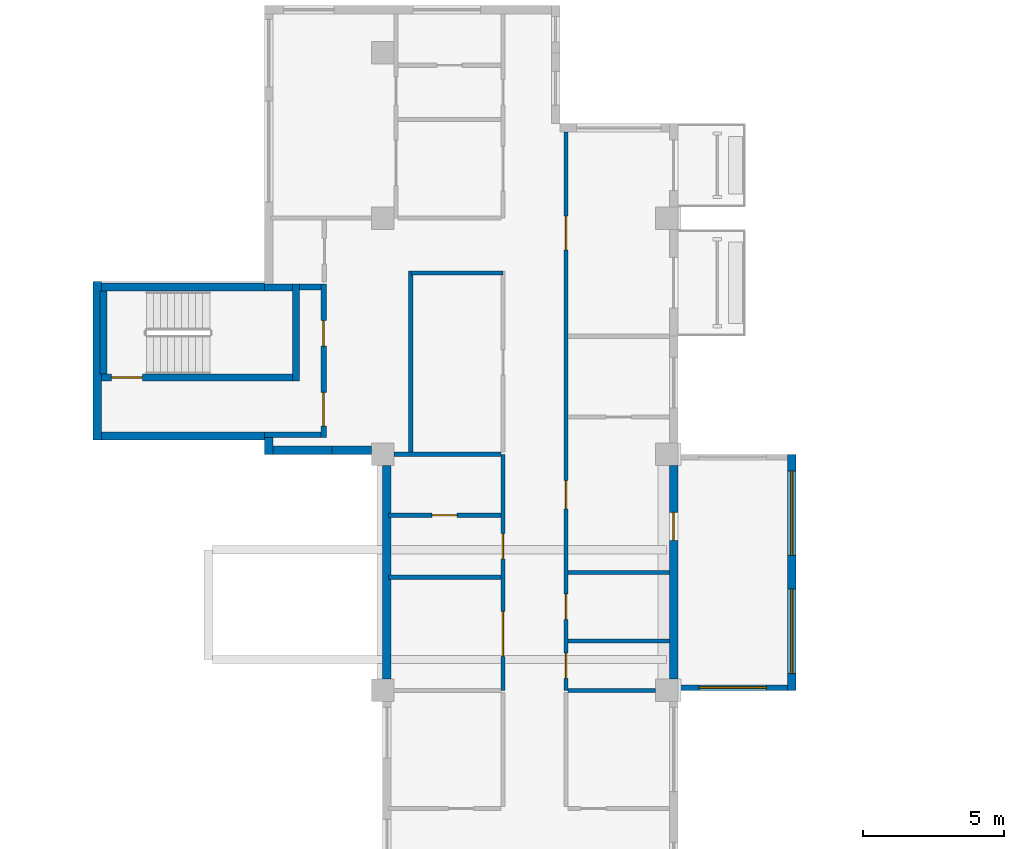
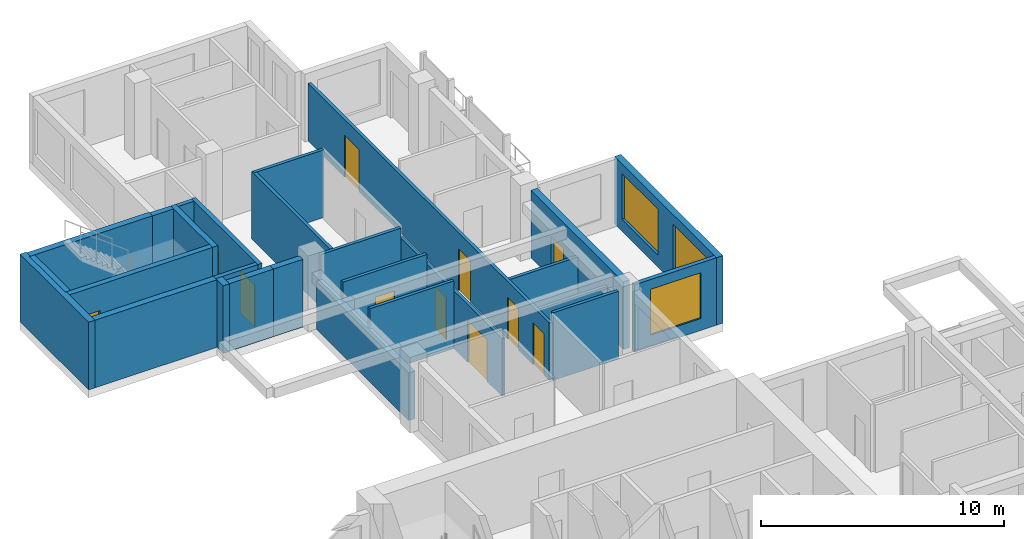
# One storey, part 6 of 12: 27 walls, 11 doors, 3 windows, 14 openings.
"""IFC4 building model written with IfcOpenShell, lengths in metres."""

from ifc_helpers import new_model, si_unit, direction, frame, frame_2d, origin, place, context, subcontext, project, spatial, rectangle, extrude, source, transform, mapped, material, layer, layer_set, type_object, element, fill, save


model = new_model("IFC4")

# Units and contexts
model_context = context("Model", 3, precision=1e-05, world=origin(), true_north=direction((0.0, 1.0)))
body_context = subcontext(model_context, "Body", "Model", "MODEL_VIEW")
ifc_project = project(units=[si_unit("LENGTHUNIT", "METRE"), si_unit("AREAUNIT", "SQUARE_METRE"), si_unit("VOLUMEUNIT", "CUBIC_METRE"), si_unit("PLANEANGLEUNIT", "RADIAN"), si_unit("MASSUNIT", "GRAM", prefix="KILO")], contexts=[model_context])

# Site, building, storey
site_placement = place(None, origin())
site = spatial("IfcSite", under=ifc_project, at=site_placement, CompositionType="ELEMENT")
building_placement = place(site_placement, origin())
building = spatial("IfcBuilding", under=site, at=building_placement, Name="Aurelian Terraces", CompositionType="ELEMENT")
storey_placement = place(building_placement, frame((0.0, 0.0, 238.6)))
storey = spatial("IfcBuildingStorey", under=building, at=storey_placement, Name="L54", CompositionType="ELEMENT", Elevation=238.6)

# Walls
ifc_material_1 = material(Name="Concrete fc' 40 MPa", Category="concrete")
ifc_layer_1 = layer(ifc_material_1, 0.3)
ifc_layer_set_1 = layer_set([ifc_layer_1], Name="STAIR BAY WALL 300")
wall_type_1 = type_object("IfcWallType", Name="STAIR BAY WALL 300", PredefinedType="SOLIDWALL", material=ifc_layer_set_1)
shared_shape_1 = source(origin(), body_context, "Body", "SweptSolid", [
    extrude(rectangle(XDim=6.1, YDim=0.3, at=frame_2d((3.05, 0.0))), origin(), (0.0, 0.0, 1.0), 3.4),
])
for number, where, z_axis, x_axis, name in (
    (1, (6.3, 43.75, 0.0), (0.0, 0.0, 1.0), (-1.0, 0.0, 0.0), "Stair bay wall L54 F13.28"),
    (2, (0.2, 38.45, 0.0), (0.0, 0.0, 1.0), (1.0, 0.0, 0.0), "Stair bay wall L54 F15.30"),
):
    element("IfcWall", number, at=place(storey_placement, frame(where, z_axis=z_axis, x_axis=x_axis)), inside=storey, type_object=wall_type_1, Name=name, PredefinedType="SOLIDWALL", context=body_context, shape_type="MappedRepresentation", body=[
        mapped(shared_shape_1, transform((0.0, 0.0, 0.0), scale=1.0)),
    ])

# Wall, opening, window
ifc_layer_2 = layer(ifc_material_1, 0.2)
ifc_layer_set_2 = layer_set([ifc_layer_2], Name="BOX BEARING WALL 200")
wall_type_2 = type_object("IfcWallType", Name="BOX BEARING WALL 200", PredefinedType="SOLIDWALL", material=ifc_layer_set_2)
shared_shape_2 = source(origin(), body_context, "Body", "SweptSolid", [
    extrude(rectangle(XDim=3.9, YDim=0.2, at=frame_2d((1.95, 0.0))), origin(), (0.0, 0.0, 1.0), 3.39),
])
wall_1_placement = place(storey_placement, frame((21.0, 29.5, 0.0), z_axis=(0.0, 0.0, 1.0), x_axis=(1.0, 0.0, 0.0)))
wall_1 = element("IfcWall", 3, at=wall_1_placement, inside=storey, type_object=wall_type_2, Name="Box return L54 J78.1", PredefinedType="SOLIDWALL", context=body_context, shape_type="MappedRepresentation", body=[
    mapped(shared_shape_2, transform((0.0, 0.0, 0.0), scale=1.0)),
])
shared_shape_3 = source(origin(), body_context, "Body", "SweptSolid", [
    extrude(rectangle(XDim=2.4, YDim=2.3, at=frame_2d((1.2, 1.15))), frame((0.0, 0.11, 0.0), z_axis=(0.0, -1.0, 0.0), x_axis=(1.0, 0.0, 0.0)), (0.0, 0.0, 1.0), 0.22),
])
opening_1_placement = place(wall_1_placement, frame((0.75, 0.0, 0.6)))
opening_1 = element("IfcOpeningElement", 4, at=opening_1_placement, cuts=wall_1, Name="Opening W2423", PredefinedType="OPENING", context=body_context, shape_type="MappedRepresentation", body=[
    mapped(shared_shape_3, transform((0.0, 0.0, 0.0), scale=1.0)),
])
ifc_material_2 = material(Name="Clear glazing", Category="glass")
window_type_1 = type_object("IfcWindowType", Name="W-2400x2300", PartitioningType="SINGLE_PANEL", PredefinedType="WINDOW", material=ifc_material_2)
shared_shape_4 = source(origin(), body_context, "Body", "SweptSolid", [
    extrude(rectangle(XDim=2.4, YDim=2.3, at=frame_2d((1.2, 1.15))), frame((0.0, 0.03, 0.0), z_axis=(0.0, -1.0, 0.0), x_axis=(1.0, 0.0, 0.0)), (0.0, 0.0, 1.0), 0.06),
])
window_1_placement = place(opening_1_placement, origin())
window_1 = element("IfcWindow", 5, at=window_1_placement, inside=storey, type_object=window_type_1, Name="Window L54 J78-S1", OverallHeight=2.3, OverallWidth=2.4, PartitioningType="SINGLE_PANEL", PredefinedType="WINDOW", context=body_context, shape_type="MappedRepresentation", body=[
    mapped(shared_shape_4, transform((0.0, 0.0, 0.0), scale=1.0)),
])
fill(opening_1, window_1)

# Walls
shared_shape_5 = source(origin(), body_context, "Body", "SweptSolid", [
    extrude(rectangle(XDim=5.65, YDim=0.3, at=frame_2d((2.825, 0.0))), origin(), (0.0, 0.0, 1.0), 3.4),
])
wall_2_placement = place(storey_placement, frame((0.35, 43.95, 0.0), z_axis=(0.0, 0.0, 1.0), x_axis=(0.0, -1.0, 0.0)))
element("IfcWall", 6, at=wall_2_placement, inside=storey, type_object=wall_type_1, Name="Stair bay wall L54 F14.29", PredefinedType="SOLIDWALL", context=body_context, shape_type="MappedRepresentation", body=[
    mapped(shared_shape_5, transform((0.0, 0.0, 0.0), scale=1.0)),
])
ifc_material_3 = material(Name="Terracotta rainscreen cladding", Category="masonry")
ifc_layer_3 = layer(ifc_material_3, 0.3)
ifc_layer_set_3 = layer_set([ifc_layer_3], Name="EW-300")
wall_type_3 = type_object("IfcWallType", Name="EW-300", PredefinedType="STANDARD", material=ifc_layer_set_3)
shared_shape_6 = source(origin(), body_context, "Body", "SweptSolid", [
    extrude(rectangle(XDim=0.6, YDim=0.3, at=frame_2d((0.3, 0.0))), origin(), (0.0, 0.0, 1.0), 3.4),
])
wall_3_placement = place(storey_placement, frame((6.45, 38.4, 0.0), z_axis=(0.0, 0.0, 1.0), x_axis=(0.0, -1.0, 0.0)))
element("IfcWall", 7, at=wall_3_placement, inside=storey, type_object=wall_type_3, Name="External wall L54 F16.31", PredefinedType="STANDARD", context=body_context, shape_type="MappedRepresentation", body=[
    mapped(shared_shape_6, transform((0.0, 0.0, 0.0), scale=1.0)),
])
shared_shape_7 = source(origin(), body_context, "Body", "SweptSolid", [
    extrude(rectangle(XDim=2.1, YDim=0.3, at=frame_2d((1.05, 0.0))), origin(), (0.0, 0.0, 1.0), 3.4),
])
wall_4_placement = place(storey_placement, frame((6.6, 37.95, 0.0), z_axis=(0.0, 0.0, 1.0), x_axis=(1.0, 0.0, 0.0)))
element("IfcWall", 8, at=wall_4_placement, inside=storey, type_object=wall_type_1, Name="Stair bay wall L54 F17.32", PredefinedType="SOLIDWALL", context=body_context, shape_type="MappedRepresentation", body=[
    mapped(shared_shape_7, transform((0.0, 0.0, 0.0), scale=1.0)),
])

# Wall, opening, door
shared_shape_8 = source(origin(), body_context, "Body", "SweptSolid", [
    extrude(rectangle(XDim=7.6, YDim=0.3, at=frame_2d((3.8, 0.0))), origin(), (0.0, 0.0, 1.0), 3.4),
])
wall_5_placement = place(storey_placement, frame((20.85, 29.8, 0.0), z_axis=(0.0, 0.0, 1.0), x_axis=(0.0, 1.0, 0.0)))
wall_5 = element("IfcWall", 9, at=wall_5_placement, inside=storey, type_object=wall_type_3, Name="External wall L54 F08.19", PredefinedType="STANDARD", context=body_context, shape_type="MappedRepresentation", body=[
    mapped(shared_shape_8, transform((0.0, 0.0, 0.0), scale=1.0)),
])
shared_shape_9 = source(origin(), body_context, "Body", "SweptSolid", [
    extrude(rectangle(XDim=1.0, YDim=2.1, at=frame_2d((0.5, 1.05))), frame((0.0, 0.16, 0.0), z_axis=(0.0, -1.0, 0.0), x_axis=(1.0, 0.0, 0.0)), (0.0, 0.0, 1.0), 0.32),
])
opening_2_placement = place(wall_5_placement, frame((4.9333, 0.0, 0.0)))
opening_2 = element("IfcOpeningElement", 10, at=opening_2_placement, cuts=wall_5, Name="Opening 854001", PredefinedType="OPENING", context=body_context, shape_type="MappedRepresentation", body=[
    mapped(shared_shape_9, transform((0.0, 0.0, 0.0), scale=1.0)),
])
ifc_material_4 = material(Name="Timber door leaf", Category="wood")
door_type_1 = type_object("IfcDoorType", Name="Room door 1000x2100 left", OperationType="SINGLE_SWING_LEFT", PredefinedType="DOOR", material=ifc_material_4)
shared_shape_10 = source(origin(), body_context, "Body", "SweptSolid", [
    extrude(rectangle(XDim=1.0, YDim=2.1, at=frame_2d((0.5, 1.05))), frame((0.0, 0.025, 0.0), z_axis=(0.0, -1.0, 0.0), x_axis=(1.0, 0.0, 0.0)), (0.0, 0.0, 1.0), 0.05),
])
door_1_placement = place(opening_2_placement, origin())
door_1 = element("IfcDoor", 11, at=door_1_placement, inside=storey, type_object=door_type_1, Name="Door 854001", OperationType="SINGLE_SWING_LEFT", OverallHeight=2.1, OverallWidth=1.0, PredefinedType="DOOR", context=body_context, shape_type="MappedRepresentation", body=[
    mapped(shared_shape_10, transform((0.0, 0.0, 0.0), scale=1.0)),
])
fill(opening_2, door_1)

# Walls
shared_shape_11 = source(origin(), body_context, "Body", "SweptSolid", [
    extrude(rectangle(XDim=1.4, YDim=0.3, at=frame_2d((0.7, 0.0))), origin(), (0.0, 0.0, 1.0), 3.4),
])
wall_6_placement = place(storey_placement, frame((8.7, 37.95, 0.0), z_axis=(0.0, 0.0, 1.0), x_axis=(1.0, 0.0, 0.0)))
element("IfcWall", 12, at=wall_6_placement, inside=storey, type_object=wall_type_3, Name="External wall L54 F17.32", PredefinedType="STANDARD", context=body_context, shape_type="MappedRepresentation", body=[
    mapped(shared_shape_11, transform((0.0, 0.0, 0.0), scale=1.0)),
])
shared_shape_12 = source(origin(), body_context, "Body", "SweptSolid", [
    extrude(rectangle(XDim=7.6, YDim=0.3, at=frame_2d((3.8, 0.0))), origin(), (0.0, 0.0, 1.0), 2.4),
])
wall_7_placement = place(storey_placement, frame((10.65, 37.4, 0.0), z_axis=(0.0, 0.0, 1.0), x_axis=(0.0, -1.0, 0.0)))
element("IfcWall", 13, at=wall_7_placement, inside=storey, type_object=wall_type_3, Name="External wall L54 F18.33", PredefinedType="STANDARD", context=body_context, shape_type="MappedRepresentation", body=[
    mapped(shared_shape_12, transform((0.0, 0.0, 0.0), scale=1.0)),
])

# Wall, openings, windows
ifc_layer_4 = layer(ifc_material_1, 0.3)
ifc_layer_set_4 = layer_set([ifc_layer_4], Name="BOX BEARING WALL 300")
wall_type_4 = type_object("IfcWallType", Name="BOX BEARING WALL 300", PredefinedType="SOLIDWALL", material=ifc_layer_set_4)
shared_shape_13 = source(origin(), body_context, "Body", "SweptSolid", [
    extrude(rectangle(XDim=8.4, YDim=0.3, at=frame_2d((4.2, 0.0))), origin(), (0.0, 0.0, 1.0), 3.39),
])
wall_8_placement = place(storey_placement, frame((25.05, 29.4, 0.0), z_axis=(0.0, 0.0, 1.0), x_axis=(0.0, 1.0, 0.0)))
wall_8 = element("IfcWall", 14, at=wall_8_placement, inside=storey, type_object=wall_type_4, Name="Box wall L54 J78", PredefinedType="SOLIDWALL", context=body_context, shape_type="MappedRepresentation", body=[
    mapped(shared_shape_13, transform((0.0, 0.0, 0.0), scale=1.0)),
])
shared_shape_14 = source(origin(), body_context, "Body", "SweptSolid", [
    extrude(rectangle(XDim=3.0, YDim=2.3, at=frame_2d((1.5, 1.15))), frame((0.0, 0.16, 0.0), z_axis=(0.0, -1.0, 0.0), x_axis=(1.0, 0.0, 0.0)), (0.0, 0.0, 1.0), 0.32),
])
opening_3_placement = place(wall_8_placement, frame((0.6, 0.0, 0.6)))
opening_3 = element("IfcOpeningElement", 15, at=opening_3_placement, cuts=wall_8, Name="Opening W3023", PredefinedType="OPENING", context=body_context, shape_type="MappedRepresentation", body=[
    mapped(shared_shape_14, transform((0.0, 0.0, 0.0), scale=1.0)),
])
opening_4_placement = place(wall_8_placement, frame((4.8, 0.0, 0.6)))
opening_4 = element("IfcOpeningElement", 16, at=opening_4_placement, cuts=wall_8, Name="Opening W3023", PredefinedType="OPENING", context=body_context, shape_type="MappedRepresentation", body=[
    mapped(shared_shape_14, transform((0.0, 0.0, 0.0), scale=1.0)),
])
window_type_2 = type_object("IfcWindowType", Name="W-3000x2300", PartitioningType="SINGLE_PANEL", PredefinedType="WINDOW", material=ifc_material_2)
shared_shape_15 = source(origin(), body_context, "Body", "SweptSolid", [
    extrude(rectangle(XDim=3.0, YDim=2.3, at=frame_2d((1.5, 1.15))), frame((0.0, 0.03, 0.0), z_axis=(0.0, -1.0, 0.0), x_axis=(1.0, 0.0, 0.0)), (0.0, 0.0, 1.0), 0.06),
])
window_2_placement = place(opening_3_placement, origin())
window_2 = element("IfcWindow", 17, at=window_2_placement, inside=storey, type_object=window_type_2, Name="Window L54 J78-F1", OverallHeight=2.3, OverallWidth=3.0, PartitioningType="SINGLE_PANEL", PredefinedType="WINDOW", context=body_context, shape_type="MappedRepresentation", body=[
    mapped(shared_shape_15, transform((0.0, 0.0, 0.0), scale=1.0)),
])
fill(opening_3, window_2)
window_3_placement = place(opening_4_placement, origin())
window_3 = element("IfcWindow", 18, at=window_3_placement, inside=storey, type_object=window_type_2, Name="Window L54 J78-F2", OverallHeight=2.3, OverallWidth=3.0, PartitioningType="SINGLE_PANEL", PredefinedType="WINDOW", context=body_context, shape_type="MappedRepresentation", body=[
    mapped(shared_shape_15, transform((0.0, 0.0, 0.0), scale=1.0)),
])
fill(opening_4, window_3)

# Wall, opening, door
ifc_layer_5 = layer(ifc_material_1, 0.25)
ifc_layer_set_5 = layer_set([ifc_layer_5], Name="Stair enclosure wall 250")
wall_type_5 = type_object("IfcWallType", Name="Stair enclosure wall 250", PredefinedType="SOLIDWALL", material=ifc_layer_set_5)
shared_shape_16 = source(origin(), body_context, "Body", "SweptSolid", [
    extrude(rectangle(XDim=7.0, YDim=0.25, at=frame_2d((3.5, 0.0))), origin(), (0.0, 0.0, 1.0), 3.4),
])
wall_9_placement = place(storey_placement, frame((0.3, 40.525, 0.0), z_axis=(0.0, 0.0, 1.0), x_axis=(1.0, 0.0, 0.0)))
wall_9 = element("IfcWall", 19, at=wall_9_placement, inside=storey, type_object=wall_type_5, Name="L54 core wall ST-S3-W", PredefinedType="SOLIDWALL", context=body_context, shape_type="MappedRepresentation", body=[
    mapped(shared_shape_16, transform((0.0, 0.0, 0.0), scale=1.0)),
])
shared_shape_17 = source(origin(), body_context, "Body", "SweptSolid", [
    extrude(rectangle(XDim=1.1, YDim=2.1, at=frame_2d((0.55, 1.05))), frame((0.0, 0.135, 0.0), z_axis=(0.0, -1.0, 0.0), x_axis=(1.0, 0.0, 0.0)), (0.0, 0.0, 1.0), 0.27),
])
opening_5_placement = place(wall_9_placement, frame((0.55, 0.0, 0.0)))
opening_5 = element("IfcOpeningElement", 20, at=opening_5_placement, cuts=wall_9, Name="Opening 65720", PredefinedType="OPENING", context=body_context, shape_type="MappedRepresentation", body=[
    mapped(shared_shape_17, transform((0.0, 0.0, 0.0), scale=1.0)),
])
ifc_material_5 = material(Name="Steel door leaf", Category="steel")
door_type_2 = type_object("IfcDoorType", Name="Core fire door 1100x2100 right", OperationType="SINGLE_SWING_RIGHT", PredefinedType="DOOR", material=ifc_material_5)
shared_shape_18 = source(origin(), body_context, "Body", "SweptSolid", [
    extrude(rectangle(XDim=1.1, YDim=2.1, at=frame_2d((0.55, 1.05))), frame((0.0, 0.025, 0.0), z_axis=(0.0, -1.0, 0.0), x_axis=(1.0, 0.0, 0.0)), (0.0, 0.0, 1.0), 0.05),
])
door_2_placement = place(opening_5_placement, origin())
door_2 = element("IfcDoor", 21, at=door_2_placement, inside=storey, type_object=door_type_2, Name="Stair door 65720", OperationType="SINGLE_SWING_RIGHT", OverallHeight=2.1, OverallWidth=1.1, PredefinedType="DOOR", context=body_context, shape_type="MappedRepresentation", body=[
    mapped(shared_shape_18, transform((0.0, 0.0, 0.0), scale=1.0)),
])
fill(opening_5, door_2)

# Walls
shared_shape_19 = source(origin(), body_context, "Body", "SweptSolid", [
    extrude(rectangle(XDim=3.45, YDim=0.25, at=frame_2d((1.725, 0.0))), origin(), (0.0, 0.0, 1.0), 3.4),
])
wall_10_placement = place(storey_placement, frame((7.425, 40.4, 0.0), z_axis=(0.0, 0.0, 1.0), x_axis=(0.0, 1.0, 0.0)))
element("IfcWall", 22, at=wall_10_placement, inside=storey, type_object=wall_type_5, Name="L54 core wall ST-S3-N", PredefinedType="SOLIDWALL", context=body_context, shape_type="MappedRepresentation", body=[
    mapped(shared_shape_19, transform((0.0, 0.0, 0.0), scale=1.0)),
])
shared_shape_20 = source(origin(), body_context, "Body", "SweptSolid", [
    extrude(rectangle(XDim=2.95, YDim=0.25, at=frame_2d((1.475, 0.0))), origin(), (0.0, 0.0, 1.0), 3.4),
])
wall_11_placement = place(storey_placement, frame((0.575, 40.65, 0.0), z_axis=(0.0, 0.0, 1.0), x_axis=(0.0, 1.0, 0.0)))
element("IfcWall", 23, at=wall_11_placement, inside=storey, type_object=wall_type_5, Name="L54 core wall ST-S3-SS", PredefinedType="SOLIDWALL", context=body_context, shape_type="MappedRepresentation", body=[
    mapped(shared_shape_20, transform((0.0, 0.0, 0.0), scale=1.0)),
])

# Wall, openings, doors
ifc_material_6 = material(Name="Gypsum board on steel studs", Category="steel")
ifc_layer_6 = layer(ifc_material_6, 0.2)
ifc_layer_set_6 = layer_set([ifc_layer_6], Name="Core partition 200")
wall_type_6 = type_object("IfcWallType", Name="Core partition 200", PredefinedType="PARTITIONING", material=ifc_layer_set_6)
shared_shape_21 = source(origin(), body_context, "Body", "SweptSolid", [
    extrude(rectangle(XDim=5.45, YDim=0.2, at=frame_2d((2.725, 0.0))), origin(), (0.0, 0.0, 1.0), 3.4),
])
wall_12_placement = place(storey_placement, frame((8.4, 38.4, 0.0), z_axis=(0.0, 0.0, 1.0), x_axis=(0.0, 1.0, 0.0)))
wall_12 = element("IfcWall", 24, at=wall_12_placement, inside=storey, type_object=wall_type_6, Name="L54 core wall ST-S3-BN", PredefinedType="PARTITIONING", context=body_context, shape_type="MappedRepresentation", body=[
    mapped(shared_shape_21, transform((0.0, 0.0, 0.0), scale=1.0)),
])
shared_shape_22 = source(origin(), body_context, "Body", "SweptSolid", [
    extrude(rectangle(XDim=1.2, YDim=2.1, at=frame_2d((0.6, 1.05))), frame((0.0, 0.11, 0.0), z_axis=(0.0, -1.0, 0.0), x_axis=(1.0, 0.0, 0.0)), (0.0, 0.0, 1.0), 0.22),
])
opening_6_placement = place(wall_12_placement, frame((0.4, 0.0, 0.0)))
opening_6 = element("IfcOpeningElement", 25, at=opening_6_placement, cuts=wall_12, Name="Opening 65721", PredefinedType="OPENING", context=body_context, shape_type="MappedRepresentation", body=[
    mapped(shared_shape_22, transform((0.0, 0.0, 0.0), scale=1.0)),
])
shared_shape_23 = source(origin(), body_context, "Body", "SweptSolid", [
    extrude(rectangle(XDim=0.9, YDim=2.1, at=frame_2d((0.45, 1.05))), frame((0.0, 0.11, 0.0), z_axis=(0.0, -1.0, 0.0), x_axis=(1.0, 0.0, 0.0)), (0.0, 0.0, 1.0), 0.22),
])
opening_7_placement = place(wall_12_placement, frame((3.25, 0.0, 0.0)))
opening_7 = element("IfcOpeningElement", 26, at=opening_7_placement, cuts=wall_12, Name="Opening 65722", PredefinedType="OPENING", context=body_context, shape_type="MappedRepresentation", body=[
    mapped(shared_shape_23, transform((0.0, 0.0, 0.0), scale=1.0)),
])
door_type_3 = type_object("IfcDoorType", Name="Core riser door 900x2100 right", OperationType="SINGLE_SWING_RIGHT", PredefinedType="DOOR", material=ifc_material_5)
shared_shape_24 = source(origin(), body_context, "Body", "SweptSolid", [
    extrude(rectangle(XDim=0.9, YDim=2.1, at=frame_2d((0.45, 1.05))), frame((0.0, 0.025, 0.0), z_axis=(0.0, -1.0, 0.0), x_axis=(1.0, 0.0, 0.0)), (0.0, 0.0, 1.0), 0.05),
])
door_3_placement = place(opening_7_placement, origin())
door_3 = element("IfcDoor", 27, at=door_3_placement, inside=storey, type_object=door_type_3, Name="Riser door 65722", OperationType="SINGLE_SWING_RIGHT", OverallHeight=2.1, OverallWidth=0.9, PredefinedType="DOOR", context=body_context, shape_type="MappedRepresentation", body=[
    mapped(shared_shape_24, transform((0.0, 0.0, 0.0), scale=1.0)),
])
fill(opening_7, door_3)
door_type_4 = type_object("IfcDoorType", Name="Core fire door 1200x2100", OperationType="SINGLE_SWING_LEFT", PredefinedType="DOOR", material=ifc_material_5)
shared_shape_25 = source(origin(), body_context, "Body", "SweptSolid", [
    extrude(rectangle(XDim=1.2, YDim=2.1, at=frame_2d((0.6, 1.05))), frame((0.0, 0.025, 0.0), z_axis=(0.0, -1.0, 0.0), x_axis=(1.0, 0.0, 0.0)), (0.0, 0.0, 1.0), 0.05),
])
door_4_placement = place(opening_6_placement, origin())
door_4 = element("IfcDoor", 28, at=door_4_placement, inside=storey, type_object=door_type_4, Name="Vestibule door 65721", OperationType="SINGLE_SWING_LEFT", OverallHeight=2.1, OverallWidth=1.2, PredefinedType="DOOR", context=body_context, shape_type="MappedRepresentation", body=[
    mapped(shared_shape_25, transform((0.0, 0.0, 0.0), scale=1.0)),
])
fill(opening_6, door_4)

# Walls
shared_shape_26 = source(origin(), body_context, "Body", "SweptSolid", [
    extrude(rectangle(XDim=0.75, YDim=0.2, at=frame_2d((0.375, 0.0))), origin(), (0.0, 0.0, 1.0), 3.4),
])
wall_13_placement = place(storey_placement, frame((7.55, 43.75, 0.0), z_axis=(0.0, 0.0, 1.0), x_axis=(1.0, 0.0, 0.0)))
element("IfcWall", 29, at=wall_13_placement, inside=storey, type_object=wall_type_6, Name="L54 core wall ST-S3-RE", PredefinedType="PARTITIONING", context=body_context, shape_type="MappedRepresentation", body=[
    mapped(shared_shape_26, transform((0.0, 0.0, 0.0), scale=1.0)),
])
shared_shape_27 = source(origin(), body_context, "Body", "SweptSolid", [
    extrude(rectangle(XDim=1.0, YDim=0.25, at=frame_2d((0.5, 0.0))), origin(), (0.0, 0.0, 1.0), 3.4),
])
wall_14_placement = place(storey_placement, frame((6.3, 43.725, 0.0), z_axis=(0.0, 0.0, 1.0), x_axis=(1.0, 0.0, 0.0)))
element("IfcWall", 30, at=wall_14_placement, inside=storey, type_object=wall_type_5, Name="L54 core wall ST-S3-E", PredefinedType="SOLIDWALL", context=body_context, shape_type="MappedRepresentation", body=[
    mapped(shared_shape_27, transform((0.0, 0.0, 0.0), scale=1.0)),
])
shared_shape_28 = source(origin(), body_context, "Body", "SweptSolid", [
    extrude(rectangle(XDim=2.0, YDim=0.2, at=frame_2d((1.0, 0.0))), origin(), (0.0, 0.0, 1.0), 3.4),
])
wall_15_placement = place(storey_placement, frame((6.3, 38.5, 0.0), z_axis=(0.0, 0.0, 1.0), x_axis=(1.0, 0.0, 0.0)))
element("IfcWall", 31, at=wall_15_placement, inside=storey, type_object=wall_type_6, Name="L54 core wall ST-S3-VW", PredefinedType="PARTITIONING", context=body_context, shape_type="MappedRepresentation", body=[
    mapped(shared_shape_28, transform((0.0, 0.0, 0.0), scale=1.0)),
])
ifc_layer_7 = layer(ifc_material_6, 0.15)
ifc_layer_set_7 = layer_set([ifc_layer_7], Name="Partition 150")
wall_type_7 = type_object("IfcWallType", Name="Partition 150", PredefinedType="PARTITIONING", material=ifc_layer_set_7)
shared_shape_29 = source(origin(), body_context, "Body", "SweptSolid", [
    extrude(rectangle(XDim=6.45, YDim=0.15, at=frame_2d((3.225, 0.0))), origin(), (0.0, 0.0, 1.0), 3.4),
])
wall_16_placement = place(storey_placement, frame((11.5, 44.325, 0.0), z_axis=(0.0, 0.0, 1.0), x_axis=(0.0, -1.0, 0.0)))
element("IfcWall", 32, at=wall_16_placement, inside=storey, type_object=wall_type_7, Name="Partition", PredefinedType="PARTITIONING", context=body_context, shape_type="MappedRepresentation", body=[
    mapped(shared_shape_29, transform((0.0, 0.0, 0.0), scale=1.0)),
])
shared_shape_30 = source(origin(), body_context, "Body", "SweptSolid", [
    extrude(rectangle(XDim=3.6, YDim=0.15, at=frame_2d((1.8, 0.0))), origin(), (0.0, 0.0, 1.0), 2.4),
])
wall_17_placement = place(storey_placement, frame((17.1, 31.1634, 0.0), z_axis=(0.0, 0.0, 1.0), x_axis=(1.0, 0.0, 0.0)))
element("IfcWall", 33, at=wall_17_placement, inside=storey, type_object=wall_type_7, Name="Partition", PredefinedType="PARTITIONING", context=body_context, shape_type="MappedRepresentation", body=[
    mapped(shared_shape_30, transform((0.0, 0.0, 0.0), scale=1.0)),
])
ifc_layer_8 = layer(ifc_material_6, 0.15)
ifc_layer_set_8 = layer_set([ifc_layer_8], Name="Fire partition 150")
wall_type_8 = type_object("IfcWallType", Name="Fire partition 150", PredefinedType="PARTITIONING", material=ifc_layer_set_8)
wall_18_placement = place(storey_placement, frame((20.7, 33.6, 0.0), z_axis=(0.0, 0.0, 1.0), x_axis=(-1.0, 0.0, 0.0)))
element("IfcWall", 34, at=wall_18_placement, inside=storey, type_object=wall_type_8, Name="Party wall", PredefinedType="PARTITIONING", context=body_context, shape_type="MappedRepresentation", body=[
    mapped(shared_shape_30, transform((0.0, 0.0, 0.0), scale=1.0)),
])

# Wall, openings, doors
shared_shape_31 = source(origin(), body_context, "Body", "SweptSolid", [
    extrude(rectangle(XDim=8.4, YDim=0.15, at=frame_2d((4.2, 0.0))), origin(), (0.0, 0.0, 1.0), 2.9),
])
wall_19_placement = place(storey_placement, frame((14.775, 29.4, 0.0), z_axis=(0.0, 0.0, 1.0), x_axis=(0.0, 1.0, 0.0)))
wall_19 = element("IfcWall", 35, at=wall_19_placement, inside=storey, type_object=wall_type_8, Name="Corridor wall", PredefinedType="PARTITIONING", context=body_context, shape_type="MappedRepresentation", body=[
    mapped(shared_shape_31, transform((0.0, 0.0, 0.0), scale=1.0)),
])
shared_shape_32 = source(origin(), body_context, "Body", "SweptSolid", [
    extrude(rectangle(XDim=1.6, YDim=2.1, at=frame_2d((0.8, 1.05))), frame((0.0, 0.085, 0.0), z_axis=(0.0, -1.0, 0.0), x_axis=(1.0, 0.0, 0.0)), (0.0, 0.0, 1.0), 0.17),
])
opening_8_placement = place(wall_19_placement, frame((1.2112, 0.0, 0.0)))
opening_8 = element("IfcOpeningElement", 36, at=opening_8_placement, cuts=wall_19, Name="Opening 754027", PredefinedType="OPENING", context=body_context, shape_type="MappedRepresentation", body=[
    mapped(shared_shape_32, transform((0.0, 0.0, 0.0), scale=1.0)),
])
shared_shape_33 = source(origin(), body_context, "Body", "SweptSolid", [
    extrude(rectangle(XDim=0.9, YDim=2.1, at=frame_2d((0.45, 1.05))), frame((0.0, 0.085, 0.0), z_axis=(0.0, -1.0, 0.0), x_axis=(1.0, 0.0, 0.0)), (0.0, 0.0, 1.0), 0.17),
])
opening_9_placement = place(wall_19_placement, frame((4.6776, 0.0, 0.0)))
opening_9 = element("IfcOpeningElement", 37, at=opening_9_placement, cuts=wall_19, Name="Opening 754028", PredefinedType="OPENING", context=body_context, shape_type="MappedRepresentation", body=[
    mapped(shared_shape_33, transform((0.0, 0.0, 0.0), scale=1.0)),
])
door_type_5 = type_object("IfcDoorType", Name="Entrance fire door 900x2100 left", OperationType="SINGLE_SWING_LEFT", PredefinedType="DOOR", material=ifc_material_5)
door_5_placement = place(opening_9_placement, origin())
door_5 = element("IfcDoor", 38, at=door_5_placement, inside=storey, type_object=door_type_5, Name="Door 754028", OperationType="SINGLE_SWING_LEFT", OverallHeight=2.1, OverallWidth=0.9, PredefinedType="DOOR", context=body_context, shape_type="MappedRepresentation", body=[
    mapped(shared_shape_24, transform((0.0, 0.0, 0.0), scale=1.0)),
])
fill(opening_9, door_5)
door_type_6 = type_object("IfcDoorType", Name="Entrance fire door 1600x2100 left", OperationType="SINGLE_SWING_LEFT", PredefinedType="DOOR", material=ifc_material_5)
shared_shape_34 = source(origin(), body_context, "Body", "SweptSolid", [
    extrude(rectangle(XDim=1.6, YDim=2.1, at=frame_2d((0.8, 1.05))), frame((0.0, 0.025, 0.0), z_axis=(0.0, -1.0, 0.0), x_axis=(1.0, 0.0, 0.0)), (0.0, 0.0, 1.0), 0.05),
])
door_6_placement = place(opening_8_placement, origin())
door_6 = element("IfcDoor", 39, at=door_6_placement, inside=storey, type_object=door_type_6, Name="Door 754027", OperationType="SINGLE_SWING_LEFT", OverallHeight=2.1, OverallWidth=1.6, PredefinedType="DOOR", context=body_context, shape_type="MappedRepresentation", body=[
    mapped(shared_shape_34, transform((0.0, 0.0, 0.0), scale=1.0)),
])
fill(opening_8, door_6)

# Wall
shared_shape_35 = source(origin(), body_context, "Body", "SweptSolid", [
    extrude(rectangle(XDim=3.995, YDim=0.15, at=frame_2d((1.9975, 0.0))), origin(), (0.0, 0.0, 1.0), 3.4),
])
wall_20_placement = place(storey_placement, frame((14.7, 33.4224, 0.0), z_axis=(0.0, 0.0, 1.0), x_axis=(-1.0, 0.0, 0.0)))
element("IfcWall", 40, at=wall_20_placement, inside=storey, type_object=wall_type_7, Name="Partition", PredefinedType="PARTITIONING", context=body_context, shape_type="MappedRepresentation", body=[
    mapped(shared_shape_35, transform((0.0, 0.0, 0.0), scale=1.0)),
])

# Wall, opening, door
wall_21_placement = place(storey_placement, frame((14.7, 35.6329, 0.0), z_axis=(0.0, 0.0, 1.0), x_axis=(-1.0, 0.0, 0.0)))
wall_21 = element("IfcWall", 41, at=wall_21_placement, inside=storey, type_object=wall_type_7, Name="Partition", PredefinedType="PARTITIONING", context=body_context, shape_type="MappedRepresentation", body=[
    mapped(shared_shape_35, transform((0.0, 0.0, 0.0), scale=1.0)),
])
opening_10_placement = place(wall_21_placement, frame((1.5475, 0.0, 0.0)))
opening_10 = element("IfcOpeningElement", 42, at=opening_10_placement, cuts=wall_21, Name="Opening 754039", PredefinedType="OPENING", context=body_context, shape_type="MappedRepresentation", body=[
    mapped(shared_shape_33, transform((0.0, 0.0, 0.0), scale=1.0)),
])
door_type_7 = type_object("IfcDoorType", Name="Room door 900x2100 left", OperationType="SINGLE_SWING_LEFT", PredefinedType="DOOR", material=ifc_material_4)
door_7_placement = place(opening_10_placement, origin())
door_7 = element("IfcDoor", 43, at=door_7_placement, inside=storey, type_object=door_type_7, Name="Door 754039", OperationType="SINGLE_SWING_LEFT", OverallHeight=2.1, OverallWidth=0.9, PredefinedType="DOOR", context=body_context, shape_type="MappedRepresentation", body=[
    mapped(shared_shape_24, transform((0.0, 0.0, 0.0), scale=1.0)),
])
fill(opening_10, door_7)

# Wall, openings, doors
shared_shape_36 = source(origin(), body_context, "Body", "SweptSolid", [
    extrude(rectangle(XDim=19.86, YDim=0.15, at=frame_2d((9.93, 0.0))), origin(), (0.0, 0.0, 1.0), 2.9),
])
wall_22_placement = place(storey_placement, frame((17.025, 49.26, 0.0), z_axis=(0.0, 0.0, 1.0), x_axis=(0.0, -1.0, 0.0)))
wall_22 = element("IfcWall", 44, at=wall_22_placement, inside=storey, type_object=wall_type_8, Name="Corridor wall", PredefinedType="PARTITIONING", context=body_context, shape_type="MappedRepresentation", body=[
    mapped(shared_shape_36, transform((0.0, 0.0, 0.0), scale=1.0)),
])
opening_11_placement = place(wall_22_placement, frame((18.5283, 0.0, 0.0)))
opening_11 = element("IfcOpeningElement", 45, at=opening_11_placement, cuts=wall_22, Name="Opening 754033", PredefinedType="OPENING", context=body_context, shape_type="MappedRepresentation", body=[
    mapped(shared_shape_33, transform((0.0, 0.0, 0.0), scale=1.0)),
])
opening_12_placement = place(wall_22_placement, frame((16.4283, 0.0, 0.0)))
opening_12 = element("IfcOpeningElement", 46, at=opening_12_placement, cuts=wall_22, Name="Opening 754034", PredefinedType="OPENING", context=body_context, shape_type="MappedRepresentation", body=[
    mapped(shared_shape_33, transform((0.0, 0.0, 0.0), scale=1.0)),
])
shared_shape_37 = source(origin(), body_context, "Body", "SweptSolid", [
    extrude(rectangle(XDim=1.0, YDim=2.1, at=frame_2d((0.5, 1.05))), frame((0.0, 0.085, 0.0), z_axis=(0.0, -1.0, 0.0), x_axis=(1.0, 0.0, 0.0)), (0.0, 0.0, 1.0), 0.17),
])
opening_13_placement = place(wall_22_placement, frame((12.3975, 0.0, 0.0)))
opening_13 = element("IfcOpeningElement", 47, at=opening_13_placement, cuts=wall_22, Name="Opening 754035", PredefinedType="OPENING", context=body_context, shape_type="MappedRepresentation", body=[
    mapped(shared_shape_37, transform((0.0, 0.0, 0.0), scale=1.0)),
])
shared_shape_38 = source(origin(), body_context, "Body", "SweptSolid", [
    extrude(rectangle(XDim=1.2, YDim=2.1, at=frame_2d((0.6, 1.05))), frame((0.0, 0.085, 0.0), z_axis=(0.0, -1.0, 0.0), x_axis=(1.0, 0.0, 0.0)), (0.0, 0.0, 1.0), 0.17),
])
opening_14_placement = place(wall_22_placement, frame((2.9925, 0.0, 0.0)))
opening_14 = element("IfcOpeningElement", 48, at=opening_14_placement, cuts=wall_22, Name="Opening 754037", PredefinedType="OPENING", context=body_context, shape_type="MappedRepresentation", body=[
    mapped(shared_shape_38, transform((0.0, 0.0, 0.0), scale=1.0)),
])
door_type_8 = type_object("IfcDoorType", Name="Entrance fire door 1000x2100 left", OperationType="SINGLE_SWING_LEFT", PredefinedType="DOOR", material=ifc_material_5)
door_8_placement = place(opening_13_placement, origin())
door_8 = element("IfcDoor", 49, at=door_8_placement, inside=storey, type_object=door_type_8, Name="Door 754035", OperationType="SINGLE_SWING_LEFT", OverallHeight=2.1, OverallWidth=1.0, PredefinedType="DOOR", context=body_context, shape_type="MappedRepresentation", body=[
    mapped(shared_shape_10, transform((0.0, 0.0, 0.0), scale=1.0)),
])
fill(opening_13, door_8)
door_9_placement = place(opening_11_placement, origin())
door_9 = element("IfcDoor", 50, at=door_9_placement, inside=storey, type_object=door_type_5, Name="Door 754033", OperationType="SINGLE_SWING_LEFT", OverallHeight=2.1, OverallWidth=0.9, PredefinedType="DOOR", context=body_context, shape_type="MappedRepresentation", body=[
    mapped(shared_shape_24, transform((0.0, 0.0, 0.0), scale=1.0)),
])
fill(opening_11, door_9)
door_type_9 = type_object("IfcDoorType", Name="Entrance fire door 900x2100 right", OperationType="SINGLE_SWING_RIGHT", PredefinedType="DOOR", material=ifc_material_5)
door_10_placement = place(opening_12_placement, origin())
door_10 = element("IfcDoor", 51, at=door_10_placement, inside=storey, type_object=door_type_9, Name="Door 754034", OperationType="SINGLE_SWING_RIGHT", OverallHeight=2.1, OverallWidth=0.9, PredefinedType="DOOR", context=body_context, shape_type="MappedRepresentation", body=[
    mapped(shared_shape_24, transform((0.0, 0.0, 0.0), scale=1.0)),
])
fill(opening_12, door_10)
door_type_10 = type_object("IfcDoorType", Name="Entrance fire door 1200x2100 left", OperationType="SINGLE_SWING_LEFT", PredefinedType="DOOR", material=ifc_material_5)
door_11_placement = place(opening_14_placement, origin())
door_11 = element("IfcDoor", 52, at=door_11_placement, inside=storey, type_object=door_type_10, Name="Door 754037", OperationType="SINGLE_SWING_LEFT", OverallHeight=2.1, OverallWidth=1.2, PredefinedType="DOOR", context=body_context, shape_type="MappedRepresentation", body=[
    mapped(shared_shape_25, transform((0.0, 0.0, 0.0), scale=1.0)),
])
fill(opening_14, door_11)

# Walls
shared_shape_39 = source(origin(), body_context, "Body", "SweptSolid", [
    extrude(rectangle(XDim=3.275, YDim=0.15, at=frame_2d((1.6375, 0.0))), origin(), (0.0, 0.0, 1.0), 3.4),
])
wall_23_placement = place(storey_placement, frame((14.775, 44.25, 0.0), z_axis=(0.0, 0.0, 1.0), x_axis=(-1.0, 0.0, 0.0)))
element("IfcWall", 53, at=wall_23_placement, inside=storey, type_object=wall_type_7, Name="Partition", PredefinedType="PARTITIONING", context=body_context, shape_type="MappedRepresentation", body=[
    mapped(shared_shape_39, transform((0.0, 0.0, 0.0), scale=1.0)),
])
shared_shape_40 = source(origin(), body_context, "Body", "SweptSolid", [
    extrude(rectangle(XDim=3.101, YDim=0.15, at=frame_2d((1.5505, 0.0))), origin(), (0.0, 0.0, 1.0), 3.4),
])
wall_24_placement = place(storey_placement, frame((20.201, 29.4, 0.0), z_axis=(0.0, 0.0, 1.0), x_axis=(-1.0, 0.0, 0.0)))
element("IfcWall", 54, at=wall_24_placement, inside=storey, type_object=wall_type_7, Name="Partition", PredefinedType="PARTITIONING", context=body_context, shape_type="MappedRepresentation", body=[
    mapped(shared_shape_40, transform((0.0, 0.0, 0.0), scale=1.0)),
])
shared_shape_41 = source(origin(), body_context, "Body", "SweptSolid", [
    extrude(rectangle(XDim=3.801, YDim=0.15, at=frame_2d((1.9005, 0.0))), origin(), (0.0, 0.0, 1.0), 3.4),
])
wall_25_placement = place(storey_placement, frame((14.7, 37.8, 0.0), z_axis=(0.0, 0.0, 1.0), x_axis=(-1.0, 0.0, 0.0)))
element("IfcWall", 55, at=wall_25_placement, inside=storey, type_object=wall_type_8, Name="Party wall", PredefinedType="PARTITIONING", context=body_context, shape_type="MappedRepresentation", body=[
    mapped(shared_shape_41, transform((0.0, 0.0, 0.0), scale=1.0)),
])

save(model, "model.ifc")
